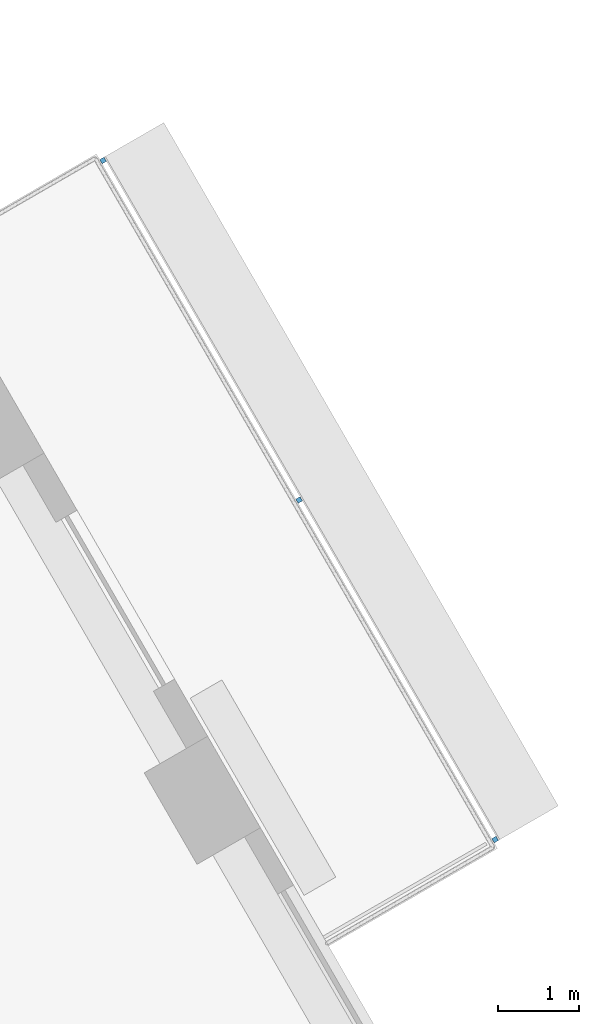
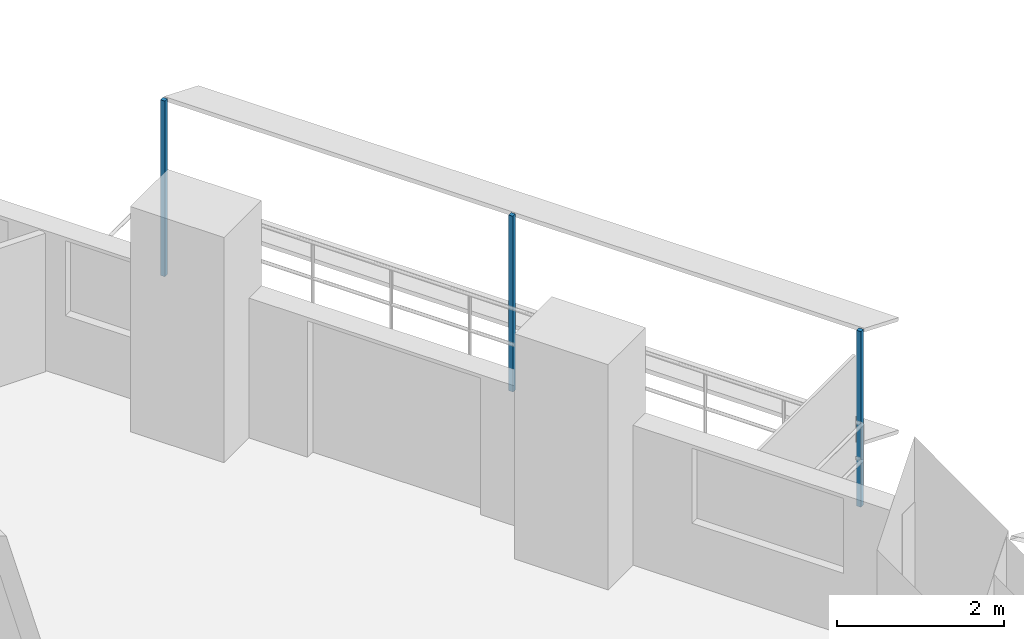
# One storey, part 11 of 14: 3 discrete accessories.
"""IFC4 building model written with IfcOpenShell, lengths in metres."""

from ifc_helpers import new_model, si_unit, direction, frame, origin, origin_2d, place, context, subcontext, project, spatial, rectangle, extrude, material, type_object, element, save


model = new_model("IFC4")

# Units and contexts
model_context = context("Model", 3, precision=1e-05, world=origin(), true_north=direction((0.0, 1.0)))
body_context = subcontext(model_context, "Body", "Model", "MODEL_VIEW")
ifc_project = project(units=[si_unit("LENGTHUNIT", "METRE"), si_unit("AREAUNIT", "SQUARE_METRE"), si_unit("VOLUMEUNIT", "CUBIC_METRE"), si_unit("PLANEANGLEUNIT", "RADIAN"), si_unit("MASSUNIT", "GRAM", prefix="KILO")], contexts=[model_context])

# Site, building, storey
site_placement = place(None, origin())
site = spatial("IfcSite", under=ifc_project, at=site_placement, CompositionType="ELEMENT")
building_placement = place(site_placement, origin())
building = spatial("IfcBuilding", under=site, at=building_placement, Name="Nakaniwa Court", CompositionType="ELEMENT")
storey_placement = place(building_placement, frame((0.0, 0.0, 166.800048828125)))
storey = spatial("IfcBuildingStorey", under=building, at=storey_placement, Name="L44", CompositionType="ELEMENT", Elevation=166.800048828125)

# Discrete accessories
ifc_material = material(Name="Black powder-coated steel bracket S275", Category="steel")
discrete_accessory_type = type_object("IfcDiscreteAccessoryType", Name="Black metal louvre bracket", PredefinedType="BRACKET", material=ifc_material)
for number, where, z_axis, x_axis, name in (
    (1, (103.91259765625, 91.442138671875, -0.22998046875), (0.0, 0.0, 1.0), (-0.500004534492, 0.866022785779, 0.0), "L44 louvre bracket 01 1"),
    (2, (101.5, 95.62109375, -0.22998046875), (0.0, 0.0, 1.0), (-0.500004534492, 0.866022785779, 0.0), "L44 louvre bracket 01 2"),
    (3, (99.087158203125, 99.800048828125, -0.22998046875), (0.0, 0.0, 1.0), (-0.500004534492, 0.866022785779, 0.0), "L44 louvre bracket 01 3"),
):
    element("IfcDiscreteAccessory", number, at=place(storey_placement, frame(where, z_axis=z_axis, x_axis=x_axis)), inside=storey, type_object=discrete_accessory_type, Name=name, PredefinedType="BRACKET", context=body_context, shape_type="SweptSolid", body=[
        extrude(rectangle(XDim=0.06005859375, YDim=0.06005859375, at=origin_2d()), origin(), (0.0, 0.0, 1.0), 2.5751953125),
    ])

save(model, "model.ifc")
